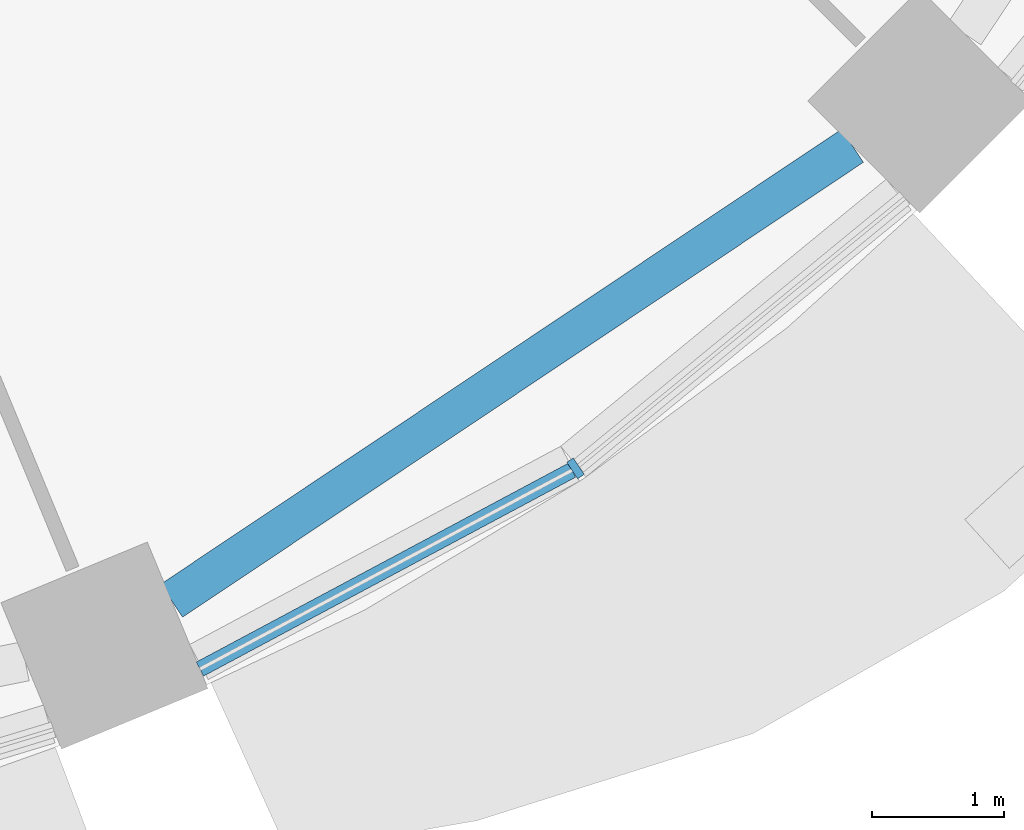
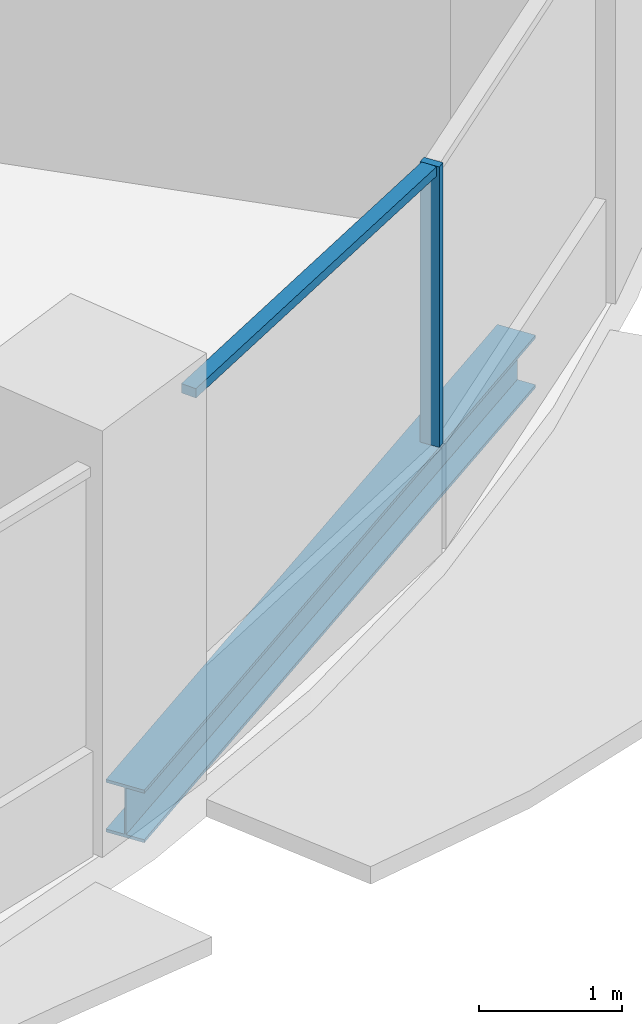
# One storey, part 3 of 15: 2 members, 1 beam, 1 element without a shape of its own.
"""IFC4 building model written with IfcOpenShell, lengths in metres."""

from ifc_helpers import new_model, si_unit, direction, frame, origin, origin_2d, place, context, subcontext, project, spatial, rectangle, i_section, extrude, material, material_profile, profile_set, type_object, element, aggregate, save


model = new_model("IFC4")

# Units and contexts
model_context = context("Model", 3, precision=1e-05, world=origin(), true_north=direction((0.0, 1.0)))
body_context = subcontext(model_context, "Body", "Model", "MODEL_VIEW")
ifc_project = project(units=[si_unit("LENGTHUNIT", "METRE"), si_unit("AREAUNIT", "SQUARE_METRE"), si_unit("VOLUMEUNIT", "CUBIC_METRE"), si_unit("PLANEANGLEUNIT", "RADIAN"), si_unit("MASSUNIT", "GRAM", prefix="KILO")], contexts=[model_context])

# Site, building, storey
site_placement = place(None, origin())
site = spatial("IfcSite", under=ifc_project, at=site_placement, CompositionType="ELEMENT")
building_placement = place(site_placement, origin())
building = spatial("IfcBuilding", under=site, at=building_placement, Name="Polderwave Tower", CompositionType="ELEMENT")
storey_placement = place(building_placement, frame((0.0, 0.0, 51.75)))
storey = spatial("IfcBuildingStorey", under=building, at=storey_placement, Name="L13", CompositionType="ELEMENT", Elevation=51.75)

# Curtain wall, members
ifc_material_1 = material(Name="Aluminium 6063-T6 and glass", Category="aluminium")
curtain_wall_type = type_object("IfcCurtainWallType", Name="Growing floor ribbon glazing wall", PredefinedType="NOTDEFINED", material=ifc_material_1)
curtain_wall_placement = place(storey_placement, origin())
curtain_wall = element("IfcCurtainWall", 1, at=curtain_wall_placement, inside=storey, type_object=curtain_wall_type, Name="CW2 L13 13", PredefinedType="NOTDEFINED")
ifc_material_2 = material(Name="Aluminium 6063-T6", Category="aluminium")
ifc_material_profile_1 = material_profile(ifc_material_2, rectangle(XDim=0.14990234375, YDim=0.06005859375, at=origin_2d()), Name="AL 60x150")
ifc_profile_set_1 = profile_set([ifc_material_profile_1], Name="Aluminium 6063-T6")
member_type_1 = type_object("IfcMemberType", Name="Growing floor ribbon glazing mullion 60x150", PredefinedType="MULLION", material=ifc_profile_set_1)
member_1_placement = place(storey_placement, frame((10.85009765625, -16.239013671875, 0.89990234375), z_axis=(0.0, 0.0, 1.0), x_axis=(-0.555576037759, 0.83146573367, 0.0)))
member_1 = element("IfcMember", 2, at=member_1_placement, type_object=member_type_1, Name="CW2 mullion 1", PredefinedType="MULLION", context=body_context, shape_type="SweptSolid", body=[
    extrude(rectangle(XDim=0.14990234375, YDim=0.06005859375, at=origin_2d()), origin(), (0.0, 0.0, 1.0), 2.400146484375),
])
ifc_material_profile_2 = material_profile(ifc_material_2, rectangle(XDim=0.1201171875, YDim=0.080078125, at=origin_2d()), Name="AL 80x120")
ifc_profile_set_2 = profile_set([ifc_material_profile_2], Name="Aluminium 6063-T6")
member_type_2 = type_object("IfcMemberType", Name="Growing floor ribbon glazing transom 80x120", PredefinedType="USERDEFINED", material=ifc_profile_set_2)
member_2_placement = place(storey_placement, frame((8.006103515625, -17.759033203125, 3.260009765625), z_axis=(0.881929477556, 0.471381370673, 0.0), x_axis=(-0.471381370673, 0.881929477556, 0.0)))
member_2 = element("IfcMember", 3, at=member_2_placement, type_object=member_type_2, Name="CW2 transom 1", ObjectType="TRANSOM", PredefinedType="USERDEFINED", context=body_context, shape_type="SweptSolid", body=[
    extrude(rectangle(XDim=0.1201171875, YDim=0.080078125, at=origin_2d()), origin(), (0.0, 0.0, 1.0), 3.194580078125),
])
aggregate(curtain_wall, [member_1, member_2])

# Beam
ifc_material_3 = material(Name="Steel S355", Category="steel")
ifc_material_profile_3 = material_profile(ifc_material_3, i_section(OverallWidth=0.300048828125, OverallDepth=0.449951171875, WebThickness=0.013916015625, FlangeThickness=0.02587890625, at=origin_2d()), Name="HE 450 B")
ifc_profile_set_3 = profile_set([ifc_material_profile_3], Name="Steel S355")
beam_type = type_object("IfcBeamType", Name="RING BEAM HE 450 B", PredefinedType="BEAM", material=ifc_profile_set_3)
beam_placement = place(storey_placement, frame((7.791015625, -17.241455078125, -0.574951171875), z_axis=(0.831480541779, 0.555553875554, 0.0), x_axis=(-0.555553875554, 0.831480541779, 0.0)))
element("IfcBeam", 4, at=beam_placement, inside=storey, type_object=beam_type, Name="ST-RB-L13-13", PredefinedType="BEAM", context=body_context, shape_type="SweptSolid", body=[
    extrude(i_section(OverallWidth=0.300048828125, OverallDepth=0.449951171875, WebThickness=0.013916015625, FlangeThickness=0.02587890625, at=origin_2d()), origin(), (0.0, 0.0, 1.0), 6.20166015625),
])

save(model, "model.ifc")
